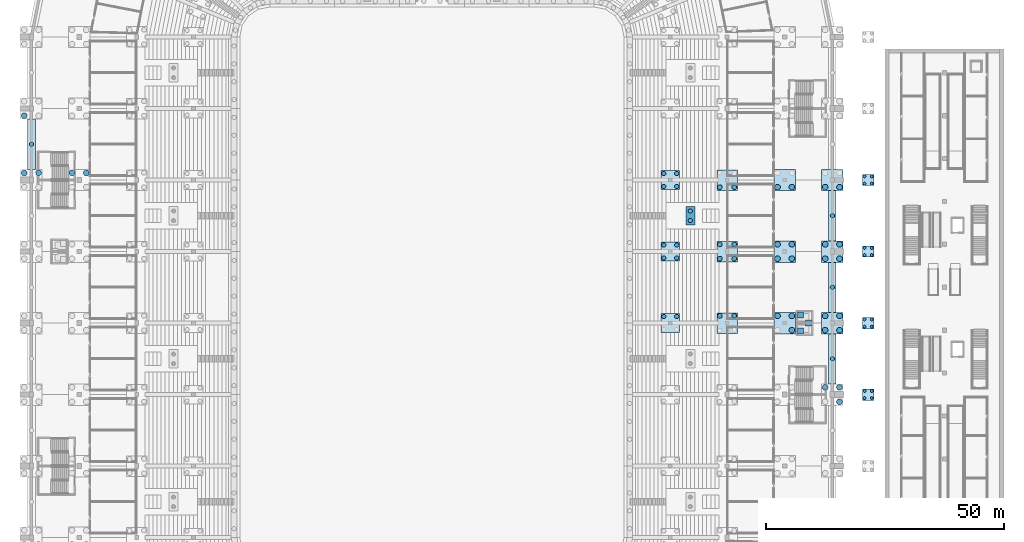
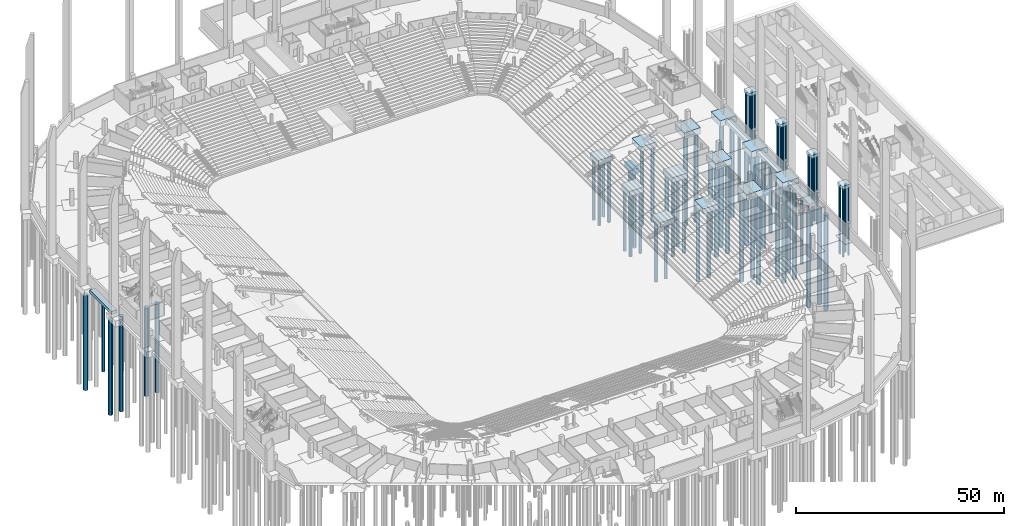
# One storey, part 5 of 115: 67 piles, 24 footings.
"""IFC4 building model written with IfcOpenShell, lengths in metres."""

from ifc_helpers import new_model, si_unit, direction, frame, origin, origin_2d, place, context, subcontext, project, spatial, polyline, rectangle, circle, outline, extrude, material, layer, layer_set, material_profile, profile_set, type_object, element, save


model = new_model("IFC4")

# Units and contexts
model_context = context("Model", 3, precision=1e-05, world=origin(), true_north=direction((0.0, 1.0)))
body_context = subcontext(model_context, "Body", "Model", "MODEL_VIEW")
ifc_project = project(units=[si_unit("LENGTHUNIT", "METRE"), si_unit("AREAUNIT", "SQUARE_METRE"), si_unit("VOLUMEUNIT", "CUBIC_METRE"), si_unit("PLANEANGLEUNIT", "RADIAN"), si_unit("MASSUNIT", "GRAM", prefix="KILO")], contexts=[model_context])

# Site, building, storey
site_placement = place(None, origin())
site = spatial("IfcSite", under=ifc_project, at=site_placement, CompositionType="ELEMENT")
building_placement = place(site_placement, origin())
building = spatial("IfcBuilding", under=site, at=building_placement, Name="Ogive Plaza Stadium", CompositionType="ELEMENT")
storey_placement = place(building_placement, frame((0.0, 0.0, -4.5)))
storey = spatial("IfcBuildingStorey", under=building, at=storey_placement, Name="B1", CompositionType="ELEMENT", Elevation=-4.5)

# Piles
ifc_material_1 = material(Name="Concrete C40/50", Category="concrete")
ifc_material_profile_1 = material_profile(ifc_material_1, circle(Radius=0.5, at=origin_2d()), Name="RC D1000")
ifc_profile_set_1 = profile_set([ifc_material_profile_1], Name="Concrete C40/50")
pile_type_1 = type_object("IfcPileType", Name="Bored pile D1000", PredefinedType="BORED", material=ifc_profile_set_1)
for number, where, z_axis, x_axis, name in (
    (1, (60.39990234375, 21.0, -1.5), (0.0, 0.0, -1.0), (1.0, 0.0, 0.0), "Bored pile F3:R03 1"),
    (2, (63.39990234375, 21.0, -1.5), (0.0, 0.0, -1.0), (1.0, 0.0, 0.0), "Bored pile F3:R03 3"),
    (3, (60.39990234375, 6.0, -1.5), (0.0, 0.0, -1.0), (1.0, 0.0, 0.0), "Bored pile F3:R04 1"),
    (4, (60.39990234375, 9.0, -1.5), (0.0, 0.0, -1.0), (1.0, 0.0, 0.0), "Bored pile F3:R04 2"),
    (5, (63.39990234375, 6.0, -1.5), (0.0, 0.0, -1.0), (1.0, 0.0, 0.0), "Bored pile F3:R04 3"),
    (6, (63.39990234375, 9.0, -1.5), (0.0, 0.0, -1.0), (1.0, 0.0, 0.0), "Bored pile F3:R04 4"),
    (7, (60.39990234375, -6.0, -1.5), (0.0, 0.0, -1.0), (1.0, 0.0, 0.0), "Bored pile F3:R05 2"),
    (8, (63.39990234375, -6.0, -1.5), (0.0, 0.0, -1.0), (1.0, 0.0, 0.0), "Bored pile F3:R05 4"),
):
    element("IfcPile", number, at=place(storey_placement, frame(where, z_axis=z_axis, x_axis=x_axis)), inside=storey, type_object=pile_type_1, Name=name, PredefinedType="BORED", context=body_context, shape_type="SweptSolid", body=[
        extrude(circle(Radius=0.5, at=origin_2d()), origin(), (0.0, 0.0, 1.0), 22.0),
    ])
ifc_material_2 = material(Name="Concrete C40/50", Category="concrete")
ifc_material_profile_2 = material_profile(ifc_material_2, circle(Radius=0.60009765625, at=origin_2d()), Name="RC D1200")
ifc_profile_set_2 = profile_set([ifc_material_profile_2], Name="Concrete C40/50")
pile_type_2 = type_object("IfcPileType", Name="Bored pile D1200", PredefinedType="BORED", material=ifc_profile_set_2)
for number, where, z_axis, x_axis, name in (
    (9, (72.5, 21.0, -1.800048828125), (0.0, 0.0, -1.0), (1.0, 0.0, 0.0), "Bored pile F4:R03 1"),
    (10, (75.5, 21.0, -1.800048828125), (0.0, 0.0, -1.0), (1.0, 0.0, 0.0), "Bored pile F4:R03 3"),
):
    element("IfcPile", number, at=place(storey_placement, frame(where, z_axis=z_axis, x_axis=x_axis)), inside=storey, type_object=pile_type_2, Name=name, PredefinedType="BORED", context=body_context, shape_type="SweptSolid", body=[
        extrude(circle(Radius=0.60009765625, at=origin_2d()), origin(), (0.0, 0.0, 1.0), 26.0),
    ])
for number, where, z_axis, x_axis, name in (
    (11, (82.5, 21.0, -1.800048828125), (0.0, 0.0, -1.0), (1.0, 0.0, 0.0), "Bored pile F5:R03 1"),
    (12, (85.5, 21.0, -1.800048828125), (0.0, 0.0, -1.0), (1.0, 0.0, 0.0), "Bored pile F5:R03 3"),
):
    element("IfcPile", number, at=place(storey_placement, frame(where, z_axis=z_axis, x_axis=x_axis)), inside=storey, type_object=pile_type_2, Name=name, PredefinedType="BORED", context=body_context, shape_type="SweptSolid", body=[
        extrude(circle(Radius=0.60009765625, at=origin_2d()), origin(), (0.0, 0.0, 1.0), 28.0),
    ])
for number, where, z_axis, x_axis, name in (
    (13, (72.5, 6.0, -1.800048828125), (0.0, 0.0, -1.0), (1.0, 0.0, 0.0), "Bored pile F4:R04 1"),
    (14, (72.5, 9.0, -1.800048828125), (0.0, 0.0, -1.0), (1.0, 0.0, 0.0), "Bored pile F4:R04 2"),
    (15, (75.5, 6.0, -1.800048828125), (0.0, 0.0, -1.0), (1.0, 0.0, 0.0), "Bored pile F4:R04 3"),
    (16, (75.5, 9.0, -1.800048828125), (0.0, 0.0, -1.0), (1.0, 0.0, 0.0), "Bored pile F4:R04 4"),
):
    element("IfcPile", number, at=place(storey_placement, frame(where, z_axis=z_axis, x_axis=x_axis)), inside=storey, type_object=pile_type_2, Name=name, PredefinedType="BORED", context=body_context, shape_type="SweptSolid", body=[
        extrude(circle(Radius=0.60009765625, at=origin_2d()), origin(), (0.0, 0.0, 1.0), 26.0),
    ])
for number, where, z_axis, x_axis, name in (
    (17, (82.5, 6.0, -1.800048828125), (0.0, 0.0, -1.0), (1.0, 0.0, 0.0), "Bored pile F5:R04 1"),
    (18, (82.5, 9.0, -1.800048828125), (0.0, 0.0, -1.0), (1.0, 0.0, 0.0), "Bored pile F5:R04 2"),
    (19, (85.5, 6.0, -1.800048828125), (0.0, 0.0, -1.0), (1.0, 0.0, 0.0), "Bored pile F5:R04 3"),
    (20, (85.5, 9.0, -1.800048828125), (0.0, 0.0, -1.0), (1.0, 0.0, 0.0), "Bored pile F5:R04 4"),
):
    element("IfcPile", number, at=place(storey_placement, frame(where, z_axis=z_axis, x_axis=x_axis)), inside=storey, type_object=pile_type_2, Name=name, PredefinedType="BORED", context=body_context, shape_type="SweptSolid", body=[
        extrude(circle(Radius=0.60009765625, at=origin_2d()), origin(), (0.0, 0.0, 1.0), 28.0),
    ])
for number, where, z_axis, x_axis, name in (
    (21, (72.5, -6.0, -1.800048828125), (0.0, 0.0, -1.0), (1.0, 0.0, 0.0), "Bored pile F4:R05 2"),
    (22, (75.5, -9.0, -1.800048828125), (0.0, 0.0, -1.0), (1.0, 0.0, 0.0), "Bored pile F4:R05 3"),
    (23, (75.5, -6.0, -1.800048828125), (0.0, 0.0, -1.0), (1.0, 0.0, 0.0), "Bored pile F4:R05 4"),
):
    element("IfcPile", number, at=place(storey_placement, frame(where, z_axis=z_axis, x_axis=x_axis)), inside=storey, type_object=pile_type_2, Name=name, PredefinedType="BORED", context=body_context, shape_type="SweptSolid", body=[
        extrude(circle(Radius=0.60009765625, at=origin_2d()), origin(), (0.0, 0.0, 1.0), 26.0),
    ])
for number, where, z_axis, x_axis, name in (
    (24, (82.5, -9.0, -1.800048828125), (0.0, 0.0, -1.0), (1.0, 0.0, 0.0), "Bored pile F5:R05 1"),
    (25, (82.5, -6.0, -1.800048828125), (0.0, 0.0, -1.0), (1.0, 0.0, 0.0), "Bored pile F5:R05 2"),
    (26, (85.5, -9.0, -1.800048828125), (0.0, 0.0, -1.0), (1.0, 0.0, 0.0), "Bored pile F5:R05 3"),
    (27, (85.5, -6.0, -1.800048828125), (0.0, 0.0, -1.0), (1.0, 0.0, 0.0), "Bored pile F5:R05 4"),
    (28, (82.5, -21.0, -1.800048828125), (0.0, 0.0, -1.0), (1.0, 0.0, 0.0), "Bored pile F5:R06 2"),
    (29, (85.5, -24.0, -1.800048828125), (0.0, 0.0, -1.0), (1.0, 0.0, 0.0), "Bored pile F5:R06 3"),
    (30, (85.5, -21.0, -1.800048828125), (0.0, 0.0, -1.0), (1.0, 0.0, 0.0), "Bored pile F5:R06 4"),
):
    element("IfcPile", number, at=place(storey_placement, frame(where, z_axis=z_axis, x_axis=x_axis)), inside=storey, type_object=pile_type_2, Name=name, PredefinedType="BORED", context=body_context, shape_type="SweptSolid", body=[
        extrude(circle(Radius=0.60009765625, at=origin_2d()), origin(), (0.0, 0.0, 1.0), 28.0),
    ])
for number, where, z_axis, x_axis, name in (
    (31, (-72.5, 24.0, -1.800048828125), (0.0, 0.0, -1.0), (1.0, 0.0, 0.0), "Bored pile F4:R26 1"),
    (32, (-75.5, 24.0, -1.800048828125), (0.0, 0.0, -1.0), (1.0, 0.0, 0.0), "Bored pile F4:R26 3"),
):
    element("IfcPile", number, at=place(storey_placement, frame(where, z_axis=z_axis, x_axis=x_axis)), inside=storey, type_object=pile_type_2, Name=name, PredefinedType="BORED", context=body_context, shape_type="SweptSolid", body=[
        extrude(circle(Radius=0.60009765625, at=origin_2d()), origin(), (0.0, 0.0, 1.0), 26.0),
    ])
for number, where, z_axis, x_axis, name in (
    (33, (-82.5, 24.0, -1.800048828125), (0.0, 0.0, -1.0), (1.0, 0.0, 0.0), "Bored pile F5:R26 1"),
    (34, (-85.5, 24.0, -1.800048828125), (0.0, 0.0, -1.0), (1.0, 0.0, 0.0), "Bored pile F5:R26 3"),
    (35, (-85.5, 36.0, -1.800048828125), (0.0, 0.0, -1.0), (1.0, 0.0, 0.0), "Bored pile F5:R27 4"),
):
    element("IfcPile", number, at=place(storey_placement, frame(where, z_axis=z_axis, x_axis=x_axis)), inside=storey, type_object=pile_type_2, Name=name, PredefinedType="BORED", context=body_context, shape_type="SweptSolid", body=[
        extrude(circle(Radius=0.60009765625, at=origin_2d()), origin(), (0.0, 0.0, 1.0), 28.0),
    ])
ifc_material_3 = material(Name="Concrete C40/50", Category="concrete")
ifc_material_profile_3 = material_profile(ifc_material_3, circle(Radius=0.300048828125, at=origin_2d()), Name="RC D600")
ifc_profile_set_3 = profile_set([ifc_material_profile_3], Name="Concrete C40/50")
pile_type_3 = type_object("IfcPileType", Name="Bored pile D600", PredefinedType="BORED", material=ifc_profile_set_3)
for number, where, z_axis, x_axis, name in (
    (36, (90.75, 21.75, 3.3798828125), (0.0, 0.0, -1.0), (1.0, 0.0, 0.0), "Bored pile colonnade 03 1"),
    (37, (90.75, 23.25, 3.3798828125), (0.0, 0.0, -1.0), (1.0, 0.0, 0.0), "Bored pile colonnade 03 2"),
    (38, (92.25, 21.75, 3.3798828125), (0.0, 0.0, -1.0), (1.0, 0.0, 0.0), "Bored pile colonnade 03 3"),
    (39, (92.25, 23.25, 3.3798828125), (0.0, 0.0, -1.0), (1.0, 0.0, 0.0), "Bored pile colonnade 03 4"),
    (40, (90.75, 6.75, 3.3798828125), (0.0, 0.0, -1.0), (1.0, 0.0, 0.0), "Bored pile colonnade 04 1"),
    (41, (90.75, 8.25, 3.3798828125), (0.0, 0.0, -1.0), (1.0, 0.0, 0.0), "Bored pile colonnade 04 2"),
    (42, (92.25, 6.75, 3.3798828125), (0.0, 0.0, -1.0), (1.0, 0.0, 0.0), "Bored pile colonnade 04 3"),
    (43, (92.25, 8.25, 3.3798828125), (0.0, 0.0, -1.0), (1.0, 0.0, 0.0), "Bored pile colonnade 04 4"),
    (44, (90.75, -8.25, 3.3798828125), (0.0, 0.0, -1.0), (1.0, 0.0, 0.0), "Bored pile colonnade 05 1"),
    (45, (90.75, -6.75, 3.3798828125), (0.0, 0.0, -1.0), (1.0, 0.0, 0.0), "Bored pile colonnade 05 2"),
    (46, (92.25, -8.25, 3.3798828125), (0.0, 0.0, -1.0), (1.0, 0.0, 0.0), "Bored pile colonnade 05 3"),
    (47, (92.25, -6.75, 3.3798828125), (0.0, 0.0, -1.0), (1.0, 0.0, 0.0), "Bored pile colonnade 05 4"),
    (48, (90.75, -23.25, 3.3798828125), (0.0, 0.0, -1.0), (1.0, 0.0, 0.0), "Bored pile colonnade 06 1"),
    (49, (90.75, -21.75, 3.3798828125), (0.0, 0.0, -1.0), (1.0, 0.0, 0.0), "Bored pile colonnade 06 2"),
    (50, (92.25, -23.25, 3.3798828125), (0.0, 0.0, -1.0), (1.0, 0.0, 0.0), "Bored pile colonnade 06 3"),
    (51, (92.25, -21.75, 3.3798828125), (0.0, 0.0, -1.0), (1.0, 0.0, 0.0), "Bored pile colonnade 06 4"),
):
    element("IfcPile", number, at=place(storey_placement, frame(where, z_axis=z_axis, x_axis=x_axis)), inside=storey, type_object=pile_type_3, Name=name, PredefinedType="BORED", context=body_context, shape_type="SweptSolid", body=[
        extrude(circle(Radius=0.300048828125, at=origin_2d()), origin(), (0.0, 0.0, 1.0), 20.0),
    ])
ifc_material_4 = material(Name="Concrete C40/50", Category="concrete")
ifc_material_profile_4 = material_profile(ifc_material_4, circle(Radius=0.449951171875, at=origin_2d()), Name="RC D900")
ifc_profile_set_4 = profile_set([ifc_material_profile_4], Name="Concrete C40/50")
pile_type_4 = type_object("IfcPileType", Name="Bored pile D900", PredefinedType="BORED", material=ifc_profile_set_4)
for number, where, z_axis, x_axis, name in (
    (52, (48.64990234375, 21.14990234375, -1.5), (0.0, 0.0, -1.0), (1.0, 0.0, 0.0), "Bored pile F1:R03 1"),
    (53, (48.64990234375, 23.85009765625, -1.5), (0.0, 0.0, -1.0), (1.0, 0.0, 0.0), "Bored pile F1:R03 2"),
    (54, (51.35009765625, 21.14990234375, -1.5), (0.0, 0.0, -1.0), (1.0, 0.0, 0.0), "Bored pile F1:R03 3"),
    (55, (51.35009765625, 23.85009765625, -1.5), (0.0, 0.0, -1.0), (1.0, 0.0, 0.0), "Bored pile F1:R03 4"),
    (56, (48.64990234375, 6.14990234375, -1.5), (0.0, 0.0, -1.0), (1.0, 0.0, 0.0), "Bored pile F1:R04 1"),
    (57, (48.64990234375, 8.85009765625, -1.5), (0.0, 0.0, -1.0), (1.0, 0.0, 0.0), "Bored pile F1:R04 2"),
    (58, (51.35009765625, 6.14990234375, -1.5), (0.0, 0.0, -1.0), (1.0, 0.0, 0.0), "Bored pile F1:R04 3"),
    (59, (51.35009765625, 8.85009765625, -1.5), (0.0, 0.0, -1.0), (1.0, 0.0, 0.0), "Bored pile F1:R04 4"),
    (60, (48.64990234375, -6.14990234375, -1.5), (0.0, 0.0, -1.0), (1.0, 0.0, 0.0), "Bored pile F1:R05 2"),
    (61, (51.35009765625, -6.14990234375, -1.5), (0.0, 0.0, -1.0), (1.0, 0.0, 0.0), "Bored pile F1:R05 4"),
):
    element("IfcPile", number, at=place(storey_placement, frame(where, z_axis=z_axis, x_axis=x_axis)), inside=storey, type_object=pile_type_4, Name=name, PredefinedType="BORED", context=body_context, shape_type="SweptSolid", body=[
        extrude(circle(Radius=0.449951171875, at=origin_2d()), origin(), (0.0, 0.0, 1.0), 18.0),
    ])
for number, where, z_axis, x_axis, name in (
    (62, (84.0, 15.0, -1.300048828125), (0.0, 0.0, -1.0), (1.0, 0.0, 0.0), "Bored pile RET:B03 1"),
    (63, (84.0, 0.0, -1.300048828125), (0.0, 0.0, -1.0), (1.0, 0.0, 0.0), "Bored pile RET:B04 1"),
    (64, (84.0, -15.0, -1.300048828125), (0.0, 0.0, -1.0), (1.0, 0.0, 0.0), "Bored pile RET:B05 1"),
    (65, (-84.0, 30.0, -1.300048828125), (0.0, 0.0, -1.0), (1.0, 0.0, 0.0), "Bored pile RET:B26 1"),
):
    element("IfcPile", number, at=place(storey_placement, frame(where, z_axis=z_axis, x_axis=x_axis)), inside=storey, type_object=pile_type_4, Name=name, PredefinedType="BORED", context=body_context, shape_type="SweptSolid", body=[
        extrude(circle(Radius=0.449951171875, at=origin_2d()), origin(), (0.0, 0.0, 1.0), 20.0),
    ])
for number, where, z_axis, x_axis, name in (
    (66, (54.199951171875, 14.0, -1.5), (0.0, 0.0, -1.0), (1.0, 0.0, 0.0), "Bored pile F1V:B03 1"),
    (67, (54.199951171875, 16.0, -1.5), (0.0, 0.0, -1.0), (1.0, 0.0, 0.0), "Bored pile F1V:B03 2"),
):
    element("IfcPile", number, at=place(storey_placement, frame(where, z_axis=z_axis, x_axis=x_axis)), inside=storey, type_object=pile_type_4, Name=name, PredefinedType="BORED", context=body_context, shape_type="SweptSolid", body=[
        extrude(circle(Radius=0.449951171875, at=origin_2d()), origin(), (0.0, 0.0, 1.0), 18.0),
    ])

# Footings
ifc_material_5 = material(Name="Concrete C40/50", Category="concrete")
ifc_layer_1 = layer(ifc_material_5, 1.0)
ifc_layer_set_1 = layer_set([ifc_layer_1], Name="Concrete C40/50")
footing_type_1 = type_object("IfcFootingType", Name="Colonnade pile cap 2400x1000", PredefinedType="PILE_CAP", material=ifc_layer_set_1)
for number, where, z_axis, x_axis, name in (
    (68, (91.5, 22.5, 3.3798828125), (0.0, 0.0, 1.0), (1.0, 0.0, 0.0), "Colonnade pile cap R03"),
    (69, (91.5, 7.5, 3.3798828125), (0.0, 0.0, 1.0), (1.0, 0.0, 0.0), "Colonnade pile cap R04"),
    (70, (91.5, -7.5, 3.3798828125), (0.0, 0.0, 1.0), (1.0, 0.0, 0.0), "Colonnade pile cap R05"),
    (71, (91.5, -22.5, 3.3798828125), (0.0, 0.0, 1.0), (1.0, 0.0, 0.0), "Colonnade pile cap R06"),
):
    element("IfcFooting", number, at=place(storey_placement, frame(where, z_axis=z_axis, x_axis=x_axis)), inside=storey, type_object=footing_type_1, Name=name, PredefinedType="PILE_CAP", context=body_context, shape_type="SweptSolid", body=[
        extrude(rectangle(XDim=2.39990234375, YDim=2.39990234375, at=origin_2d()), origin(), (0.0, 0.0, 1.0), 1.0),
    ])
ifc_material_6 = material(Name="Concrete C40/50", Category="concrete")
ifc_layer_2 = layer(ifc_material_6, 0.60009765625)
ifc_layer_set_2 = layer_set([ifc_layer_2], Name="Concrete C40/50")
footing_type_2 = type_object("IfcFootingType", Name="Lift pit pad 1200x1200", PredefinedType="PAD_FOOTING", material=ifc_layer_set_2)
for number, where, z_axis, x_axis, name in (
    (72, (77.300048828125, -9.175048828125, -2.2099609375), (0.0, 0.0, 1.0), (1.0, 0.0, 0.0), "Lift pit pad LP05"),
    (73, (77.300048828125, -5.824951171875, -2.2099609375), (0.0, 0.0, 1.0), (1.0, 0.0, 0.0), "Lift pit pad LP05"),
    (74, (79.0, -7.5, -2.2099609375), (0.0, 0.0, 1.0), (1.0, 0.0, 0.0), "Lift pit pad LP05"),
):
    element("IfcFooting", number, at=place(storey_placement, frame(where, z_axis=z_axis, x_axis=x_axis)), inside=storey, type_object=footing_type_2, Name=name, PredefinedType="PAD_FOOTING", context=body_context, shape_type="SweptSolid", body=[
        extrude(rectangle(XDim=1.199951171875, YDim=1.199951171875, at=origin_2d()), origin(), (0.0, 0.0, 1.0), 0.60009765625),
    ])
ifc_material_7 = material(Name="Concrete C40/50", Category="concrete")
ifc_layer_3 = layer(ifc_material_7, 1.5)
ifc_layer_set_3 = layer_set([ifc_layer_3], Name="Concrete C40/50")
footing_type_3 = type_object("IfcFootingType", Name="Pile cap F1 3900x1500", PredefinedType="PILE_CAP", material=ifc_layer_set_3)
for number, where, z_axis, x_axis, name in (
    (75, (50.0, 22.5, -1.5), (0.0, 0.0, 1.0), (1.0, 0.0, 0.0), "Pile cap F1 R03"),
    (76, (50.0, 7.5, -1.5), (0.0, 0.0, 1.0), (1.0, 0.0, 0.0), "Pile cap F1 R04"),
    (77, (50.0, -7.5, -1.5), (0.0, 0.0, 1.0), (1.0, 0.0, 0.0), "Pile cap F1 R05"),
):
    element("IfcFooting", number, at=place(storey_placement, frame(where, z_axis=z_axis, x_axis=x_axis)), inside=storey, type_object=footing_type_3, Name=name, PredefinedType="PILE_CAP", context=body_context, shape_type="SweptSolid", body=[
        extrude(rectangle(XDim=3.89990234375, YDim=3.89990234375, at=origin_2d()), origin(), (0.0, 0.0, 1.0), 1.5),
    ])
ifc_material_8 = material(Name="Concrete C40/50", Category="concrete")
ifc_layer_4 = layer(ifc_material_8, 1.5)
ifc_layer_set_4 = layer_set([ifc_layer_4], Name="Concrete C40/50")
footing_type_4 = type_object("IfcFootingType", Name="Pile cap F1V 1900x3900", PredefinedType="PILE_CAP", material=ifc_layer_set_4)
footing_1_placement = place(storey_placement, frame((54.199951171875, 15.0, -1.5), z_axis=(0.0, 0.0, 1.0), x_axis=(1.0, 0.0, 0.0)))
element("IfcFooting", 78, at=footing_1_placement, inside=storey, type_object=footing_type_4, Name="Pile cap F1V B03", PredefinedType="PILE_CAP", context=body_context, shape_type="SweptSolid", body=[
    extrude(rectangle(XDim=1.89990234375, YDim=3.89990234375, at=origin_2d()), origin(), (0.0, 0.0, 1.0), 1.5),
])
ifc_material_9 = material(Name="Concrete C40/50", Category="concrete")
ifc_layer_5 = layer(ifc_material_9, 1.5)
ifc_layer_set_5 = layer_set([ifc_layer_5], Name="Concrete C40/50")
footing_type_5 = type_object("IfcFootingType", Name="Pile cap F3 4300x1500", PredefinedType="PILE_CAP", material=ifc_layer_set_5)
for number, where, z_axis, x_axis, name in (
    (79, (61.89990234375, 22.5, -1.5), (0.0, 0.0, 1.0), (1.0, 0.0, 0.0), "Pile cap F3 R03"),
    (80, (61.89990234375, 7.5, -1.5), (0.0, 0.0, 1.0), (1.0, 0.0, 0.0), "Pile cap F3 R04"),
    (81, (61.89990234375, -7.5, -1.5), (0.0, 0.0, 1.0), (1.0, 0.0, 0.0), "Pile cap F3 R05"),
):
    element("IfcFooting", number, at=place(storey_placement, frame(where, z_axis=z_axis, x_axis=x_axis)), inside=storey, type_object=footing_type_5, Name=name, PredefinedType="PILE_CAP", context=body_context, shape_type="SweptSolid", body=[
        extrude(rectangle(XDim=4.300048828125, YDim=4.300048828125, at=origin_2d()), origin(), (0.0, 0.0, 1.0), 1.5),
    ])
ifc_material_10 = material(Name="Concrete C40/50", Category="concrete")
ifc_layer_6 = layer(ifc_material_10, 1.800048828125)
ifc_layer_set_6 = layer_set([ifc_layer_6], Name="Concrete C40/50")
footing_type_6 = type_object("IfcFootingType", Name="Pile cap F4 4500x1800", PredefinedType="PILE_CAP", material=ifc_layer_set_6)
for number, where, z_axis, x_axis, name in (
    (82, (74.0, 22.5, -1.7998046875), (0.0, 0.0, 1.0), (1.0, 0.0, 0.0), "Pile cap F4 R03"),
    (83, (74.0, 7.5, -1.7998046875), (0.0, 0.0, 1.0), (1.0, 0.0, 0.0), "Pile cap F4 R04"),
    (84, (74.0, -7.5, -1.7998046875), (0.0, 0.0, 1.0), (1.0, 0.0, 0.0), "Pile cap F4 R05"),
):
    element("IfcFooting", number, at=place(storey_placement, frame(where, z_axis=z_axis, x_axis=x_axis)), inside=storey, type_object=footing_type_6, Name=name, PredefinedType="PILE_CAP", context=body_context, shape_type="SweptSolid", body=[
        extrude(rectangle(XDim=4.5, YDim=4.5, at=origin_2d()), origin(), (0.0, 0.0, 1.0), 1.800048828125),
    ])
ifc_material_11 = material(Name="Concrete C40/50", Category="concrete")
ifc_layer_7 = layer(ifc_material_11, 1.800048828125)
ifc_layer_set_7 = layer_set([ifc_layer_7], Name="Concrete C40/50")
footing_type_7 = type_object("IfcFootingType", Name="Pile cap F5 4500x1800", PredefinedType="PILE_CAP", material=ifc_layer_set_7)
for number, where, z_axis, x_axis, name in (
    (85, (84.0, 22.5, -1.7998046875), (0.0, 0.0, 1.0), (1.0, 0.0, 0.0), "Pile cap F5 R03"),
    (86, (84.0, 7.5, -1.7998046875), (0.0, 0.0, 1.0), (1.0, 0.0, 0.0), "Pile cap F5 R04"),
    (87, (84.0, -7.5, -1.7998046875), (0.0, 0.0, 1.0), (1.0, 0.0, 0.0), "Pile cap F5 R05"),
):
    element("IfcFooting", number, at=place(storey_placement, frame(where, z_axis=z_axis, x_axis=x_axis)), inside=storey, type_object=footing_type_7, Name=name, PredefinedType="PILE_CAP", context=body_context, shape_type="SweptSolid", body=[
        extrude(rectangle(XDim=4.5, YDim=4.5, at=origin_2d()), origin(), (0.0, 0.0, 1.0), 1.800048828125),
    ])
ifc_material_12 = material(Name="Concrete C40/50", Category="concrete")
ifc_layer_8 = layer(ifc_material_12, 0.89990234375)
ifc_layer_set_8 = layer_set([ifc_layer_8], Name="Concrete C40/50")
footing_type_8 = type_object("IfcFootingType", Name="Strip footing RET 900", PredefinedType="STRIP_FOOTING", material=ifc_layer_set_8)
footing_2_placement = place(storey_placement, frame((0.0, 0.0, -1.300048828125)))
element("IfcFooting", 88, at=footing_2_placement, inside=storey, type_object=footing_type_8, Name="Strip footing retaining wall B03", PredefinedType="STRIP_FOOTING", context=body_context, shape_type="SweptSolid", body=[
    extrude(outline(polyline([(83.199951171875, 9.75), (84.800048828125, 9.75), (84.800048828125, 20.25), (83.199951171875, 20.25), (83.199951171875, 9.75)])), origin(), (0.0, 0.0, 1.0), 0.900146484375),
])
footing_3_placement = place(storey_placement, frame((0.0, 0.0, -1.300048828125)))
element("IfcFooting", 89, at=footing_3_placement, inside=storey, type_object=footing_type_8, Name="Strip footing retaining wall B04", PredefinedType="STRIP_FOOTING", context=body_context, shape_type="SweptSolid", body=[
    extrude(outline(polyline([(83.199951171875, -5.25), (84.800048828125, -5.25), (84.800048828125, 5.25), (83.199951171875, 5.25), (83.199951171875, -5.25)])), origin(), (0.0, 0.0, 1.0), 0.900146484375),
])
footing_4_placement = place(storey_placement, frame((0.0, 0.0, -1.300048828125)))
element("IfcFooting", 90, at=footing_4_placement, inside=storey, type_object=footing_type_8, Name="Strip footing retaining wall B05", PredefinedType="STRIP_FOOTING", context=body_context, shape_type="SweptSolid", body=[
    extrude(outline(polyline([(83.199951171875, -20.25), (84.800048828125, -20.25), (84.800048828125, -9.75), (83.199951171875, -9.75), (83.199951171875, -20.25)])), origin(), (0.0, 0.0, 1.0), 0.900146484375),
])
footing_5_placement = place(storey_placement, frame((0.0, 0.0, -1.300048828125)))
element("IfcFooting", 91, at=footing_5_placement, inside=storey, type_object=footing_type_8, Name="Strip footing retaining wall B26", PredefinedType="STRIP_FOOTING", context=body_context, shape_type="SweptSolid", body=[
    extrude(outline(polyline([(-83.199951171875, 35.25), (-84.800048828125, 35.25), (-84.800048828125, 24.75), (-83.199951171875, 24.75), (-83.199951171875, 35.25)])), origin(), (0.0, 0.0, 1.0), 0.900146484375),
])

save(model, "model.ifc")
